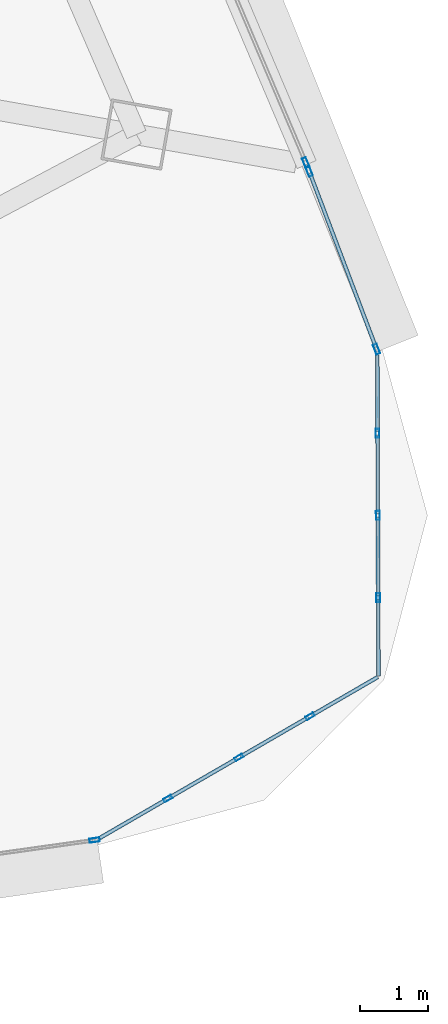
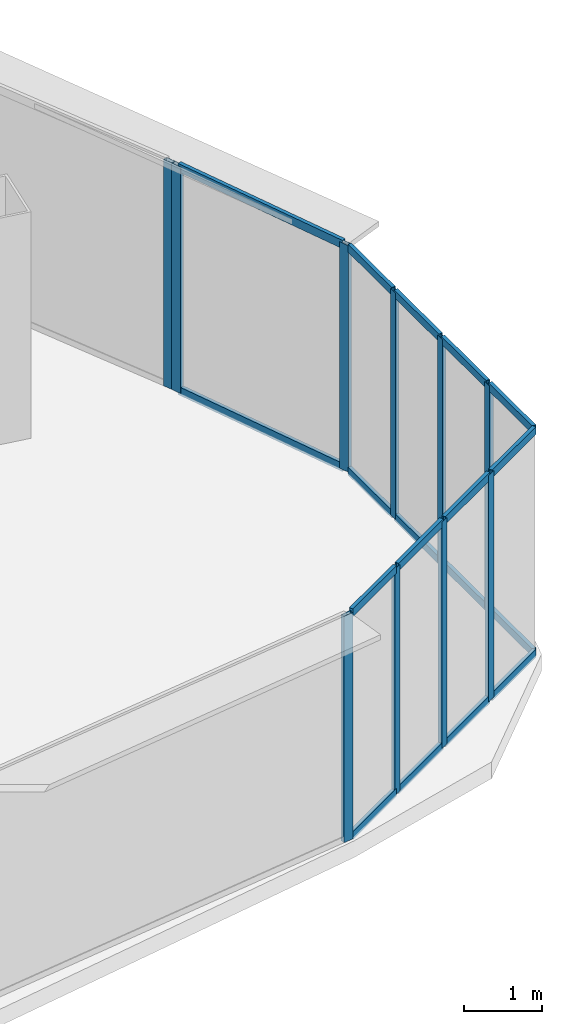
# One storey, part 24 of 40: 28 members, 5 elements without a shape of their own.
"""IFC4 building model written with IfcOpenShell, lengths in metres."""

from ifc_helpers import new_model, si_unit, direction, frame, origin, origin_2d, place, context, subcontext, project, spatial, hollow_rectangle, extrude, source, transform, mapped, material, layer, layer_set, material_profile, profile_set, type_object, element, aggregate, save


model = new_model("IFC4")

# Units and contexts
model_context = context("Model", 3, precision=1e-05, world=origin(), true_north=direction((0.0, 1.0)))
body_context = subcontext(model_context, "Body", "Model", "MODEL_VIEW")
ifc_project = project(units=[si_unit("LENGTHUNIT", "METRE"), si_unit("AREAUNIT", "SQUARE_METRE"), si_unit("VOLUMEUNIT", "CUBIC_METRE"), si_unit("PLANEANGLEUNIT", "RADIAN"), si_unit("MASSUNIT", "GRAM", prefix="KILO"), si_unit("THERMODYNAMICTEMPERATUREUNIT", "KELVIN"), si_unit("POWERUNIT", "WATT")], contexts=[model_context])

# Site, building, storey
site_placement = place(None, origin())
site = spatial("IfcSite", under=ifc_project, at=site_placement, CompositionType="ELEMENT")
building_placement = place(site_placement, origin())
building = spatial("IfcBuilding", under=site, at=building_placement, Name="Yunzhuo Pagoda Commons", CompositionType="ELEMENT")
storey_placement = place(building_placement, frame((0.0, 0.0, 184.760009765625)))
storey = spatial("IfcBuildingStorey", under=building, at=storey_placement, Name="L46", CompositionType="ELEMENT", Elevation=184.760009765625)

# Curtain wall, members
ifc_material = material(Name="Anodized aluminium 6063-T6", Category="aluminium")
ifc_layer_1 = layer(ifc_material, 0.1298828125)
ifc_layer_set_1 = layer_set([ifc_layer_1], Name="Anodized aluminium 6063-T6")
curtain_wall_type_1 = type_object("IfcCurtainWallType", Name="CW-VTX Rounded Corner Curtain Wall", PredefinedType="NOTDEFINED", material=ifc_layer_set_1)
curtain_wall_1_placement = place(storey_placement, origin())
curtain_wall_1 = element("IfcCurtainWall", 1, at=curtain_wall_1_placement, inside=storey, type_object=curtain_wall_type_1, Name="L46 curtain wall CW-L46-VTX2S1", PredefinedType="NOTDEFINED")
ifc_material_profile_1 = material_profile(ifc_material, hollow_rectangle(XDim=0.054931640625, YDim=0.1298828125, WallThickness=0.00341796875, at=origin_2d()), Name="Anodized aluminium 6063-T6")
ifc_profile_set_1 = profile_set([ifc_material_profile_1], Name="Anodized aluminium 6063-T6")
member_type_1 = type_object("IfcMemberType", Name="CW-VTX-M Mullion RHS 130x55x3.5", PredefinedType="MULLION", material=ifc_profile_set_1)
shared_shape_1 = source(origin(), body_context, "Body", "SweptSolid", [
    extrude(hollow_rectangle(XDim=0.054931640625, YDim=0.1298828125, WallThickness=0.00341796875, at=origin_2d()), origin(), (0.0, 0.0, 1.0), 3.5400390625),
])
member_1_placement = place(storey_placement, frame((83.66357421875, 17.789306640625, 0.0), z_axis=(0.0, 0.0, 1.0), x_axis=(-0.501040373263, 0.865423910208, 0.0)))
member_1 = element("IfcMember", 2, at=member_1_placement, type_object=member_type_1, Name="CW mullion 2", PredefinedType="MULLION", context=body_context, shape_type="MappedRepresentation", body=[
    mapped(shared_shape_1, transform((0.0, 0.0, 0.0), scale=1.0)),
])
member_2_placement = place(storey_placement, frame((84.702880859375, 18.390869140625, 0.0), z_axis=(0.0, 0.0, 1.0), x_axis=(-0.501040373263, 0.865423910208, 0.0)))
member_2 = element("IfcMember", 3, at=member_2_placement, type_object=member_type_1, Name="CW mullion 3", PredefinedType="MULLION", context=body_context, shape_type="MappedRepresentation", body=[
    mapped(shared_shape_1, transform((0.0, 0.0, 0.0), scale=1.0)),
])
member_3_placement = place(storey_placement, frame((85.742431640625, 18.99267578125, 0.0), z_axis=(0.0, 0.0, 1.0), x_axis=(-0.501040373263, 0.865423910208, 0.0)))
member_3 = element("IfcMember", 4, at=member_3_placement, type_object=member_type_1, Name="CW mullion 4", PredefinedType="MULLION", context=body_context, shape_type="MappedRepresentation", body=[
    mapped(shared_shape_1, transform((0.0, 0.0, 0.0), scale=1.0)),
])

curtain_wall_2_placement = place(storey_placement, origin())
curtain_wall_2 = element("IfcCurtainWall", 5, at=curtain_wall_2_placement, inside=storey, type_object=curtain_wall_type_1, Name="L46 curtain wall CW-L46-VTX2S2", PredefinedType="NOTDEFINED")
member_4_placement = place(storey_placement, frame((86.737548828125, 20.725830078125, 0.0), z_axis=(0.0, 0.0, 1.0), x_axis=(-0.99999359061, -0.003580326762, 0.0)))
member_4 = element("IfcMember", 6, at=member_4_placement, type_object=member_type_1, Name="CW mullion 2", PredefinedType="MULLION", context=body_context, shape_type="MappedRepresentation", body=[
    mapped(shared_shape_1, transform((0.0, 0.0, 0.0), scale=1.0)),
])
member_5_placement = place(storey_placement, frame((86.733154296875, 21.927001953125, 0.0), z_axis=(0.0, 0.0, 1.0), x_axis=(-0.99999359061, -0.003580326762, 0.0)))
member_5 = element("IfcMember", 7, at=member_5_placement, type_object=member_type_1, Name="CW mullion 3", PredefinedType="MULLION", context=body_context, shape_type="MappedRepresentation", body=[
    mapped(shared_shape_1, transform((0.0, 0.0, 0.0), scale=1.0)),
])
member_6_placement = place(storey_placement, frame((86.72900390625, 23.1279296875, 0.0), z_axis=(0.0, 0.0, 1.0), x_axis=(-0.99999359061, -0.003580326762, 0.0)))
member_6 = element("IfcMember", 8, at=member_6_placement, type_object=member_type_1, Name="CW mullion 4", PredefinedType="MULLION", context=body_context, shape_type="MappedRepresentation", body=[
    mapped(shared_shape_1, transform((0.0, 0.0, 0.0), scale=1.0)),
])

# Curtain wall, member
ifc_layer_2 = layer(ifc_material, 0.14990234375)
ifc_layer_set_2 = layer_set([ifc_layer_2], Name="Anodized aluminium 6063-T6")
curtain_wall_type_2 = type_object("IfcCurtainWallType", Name="CW-MID Mid-Zone Ribbon Curtain Wall", PredefinedType="NOTDEFINED", material=ifc_layer_set_2)
curtain_wall_3_placement = place(storey_placement, origin())
curtain_wall_3 = element("IfcCurtainWall", 9, at=curtain_wall_3_placement, inside=storey, type_object=curtain_wall_type_2, Name="L46 curtain wall CW-L46-F1B5", PredefinedType="NOTDEFINED")
ifc_material_profile_2 = material_profile(ifc_material, hollow_rectangle(XDim=0.06005859375, YDim=0.14990234375, WallThickness=0.00390625, at=origin_2d()), Name="Anodized aluminium 6063-T6")
ifc_profile_set_2 = profile_set([ifc_material_profile_2], Name="Anodized aluminium 6063-T6")
member_type_2 = type_object("IfcMemberType", Name="CW-MID-M Mullion RHS 150x60x4", PredefinedType="MULLION", material=ifc_profile_set_2)
shared_shape_2 = source(origin(), body_context, "Body", "SweptSolid", [
    extrude(hollow_rectangle(XDim=0.06005859375, YDim=0.14990234375, WallThickness=0.00390625, at=origin_2d()), origin(), (0.0, 0.0, 1.0), 3.5400390625),
])
member_7_placement = place(storey_placement, frame((82.594482421875, 17.183349609375, 0.0), z_axis=(0.0, 0.0, 1.0), x_axis=(-0.139233100351, 0.990259634524, 0.0)))
member_7 = element("IfcMember", 10, at=member_7_placement, type_object=member_type_2, Name="CW mullion 2", PredefinedType="MULLION", context=body_context, shape_type="MappedRepresentation", body=[
    mapped(shared_shape_2, transform((0.0, 0.0, 0.0), scale=1.0)),
])
aggregate(curtain_wall_3, [member_7])

curtain_wall_4_placement = place(storey_placement, origin())
curtain_wall_4 = element("IfcCurtainWall", 11, at=curtain_wall_4_placement, inside=storey, type_object=curtain_wall_type_2, Name="L46 curtain wall CW-L46-F2B2", PredefinedType="NOTDEFINED")
member_8_placement = place(storey_placement, frame((85.6806640625, 27.081298828125, 0.0), z_axis=(0.0, 0.0, 1.0), x_axis=(-0.920515325194, -0.390706457693, 0.0)))
member_8 = element("IfcMember", 12, at=member_8_placement, type_object=member_type_2, Name="CW mullion 1", PredefinedType="MULLION", context=body_context, shape_type="MappedRepresentation", body=[
    mapped(shared_shape_2, transform((0.0, 0.0, 0.0), scale=1.0)),
])
aggregate(curtain_wall_4, [member_8])

# Curtain wall, members
curtain_wall_5_placement = place(storey_placement, origin())
curtain_wall_5 = element("IfcCurtainWall", 13, at=curtain_wall_5_placement, inside=storey, type_object=curtain_wall_type_2, Name="L46 curtain wall CW-L46-F2B1", PredefinedType="NOTDEFINED")
member_9_placement = place(storey_placement, frame((86.7138671875, 24.35693359375, 0.0), z_axis=(0.0, 0.0, 1.0), x_axis=(-0.935148483493, -0.354256000401, 0.0)))
member_9 = element("IfcMember", 14, at=member_9_placement, type_object=member_type_2, Name="CW mullion 1", PredefinedType="MULLION", context=body_context, shape_type="MappedRepresentation", body=[
    mapped(shared_shape_2, transform((0.0, 0.0, 0.0), scale=1.0)),
])
member_10_placement = place(storey_placement, frame((85.7294921875, 26.95556640625, 0.0), z_axis=(0.0, 0.0, 1.0), x_axis=(-0.935148483493, -0.354256000401, 0.0)))
member_10 = element("IfcMember", 15, at=member_10_placement, type_object=member_type_2, Name="CW mullion 2", PredefinedType="MULLION", context=body_context, shape_type="MappedRepresentation", body=[
    mapped(shared_shape_2, transform((0.0, 0.0, 0.0), scale=1.0)),
])
ifc_material_profile_3 = material_profile(ifc_material, hollow_rectangle(XDim=0.054931640625, YDim=0.1298828125, WallThickness=0.00341796875, at=origin_2d()), Name="Anodized aluminium 6063-T6")
ifc_profile_set_3 = profile_set([ifc_material_profile_3], Name="Anodized aluminium 6063-T6")
member_type_3 = type_object("IfcMemberType", Name="CW-MID-T Transom RHS 130x55x3.5", PredefinedType="USERDEFINED", material=ifc_profile_set_3)
shared_shape_3 = source(origin(), body_context, "Body", "SweptSolid", [
    extrude(hollow_rectangle(XDim=0.054931640625, YDim=0.1298828125, WallThickness=0.00341796875, at=origin_2d()), origin(), (0.0, 0.0, 1.0), 2.71875),
])
member_11_placement = place(storey_placement, frame((86.703369140625, 24.385009765625, 0.027587890625), z_axis=(-0.354250859445, 0.935150430991, 0.0), x_axis=(-0.935150430991, -0.354250859445, 0.0)))
member_11 = element("IfcMember", 16, at=member_11_placement, type_object=member_type_3, Name="CW transom 1.1", ObjectType="TRANSOM", PredefinedType="USERDEFINED", context=body_context, shape_type="MappedRepresentation", body=[
    mapped(shared_shape_3, transform((0.0, 0.0, 0.0), scale=1.0)),
])
member_12_placement = place(storey_placement, frame((86.703369140625, 24.385009765625, 3.512451171875), z_axis=(-0.354250859445, 0.935150430991, 0.0), x_axis=(-0.935150430991, -0.354250859445, 0.0)))
member_12 = element("IfcMember", 17, at=member_12_placement, type_object=member_type_3, Name="CW transom 1.2", ObjectType="TRANSOM", PredefinedType="USERDEFINED", context=body_context, shape_type="MappedRepresentation", body=[
    mapped(shared_shape_3, transform((0.0, 0.0, 0.0), scale=1.0)),
])
aggregate(curtain_wall_5, [member_9, member_10, member_11, member_12])

# Member
ifc_material_profile_4 = material_profile(ifc_material, hollow_rectangle(XDim=0.054931640625, YDim=0.1201171875, WallThickness=0.00341796875, at=origin_2d()), Name="Anodized aluminium 6063-T6")
ifc_profile_set_4 = profile_set([ifc_material_profile_4], Name="Anodized aluminium 6063-T6")
member_type_4 = type_object("IfcMemberType", Name="CW-VTX-T Transom RHS 120x55x3.5", PredefinedType="USERDEFINED", material=ifc_profile_set_4)
shared_shape_4 = source(origin(), body_context, "Body", "SweptSolid", [
    extrude(hollow_rectangle(XDim=0.054931640625, YDim=0.1201171875, WallThickness=0.00341796875, at=origin_2d()), origin(), (0.0, 0.0, 1.0), 1.118408203125),
])
member_13_placement = place(storey_placement, frame((86.728759765625, 23.155517578125, 0.027587890625), z_axis=(-0.003274376684, 0.999994639214, 0.0), x_axis=(-0.999994639214, -0.003274376684, 0.0)))
member_13 = element("IfcMember", 18, at=member_13_placement, type_object=member_type_4, Name="CW transom 4.1", ObjectType="TRANSOM", PredefinedType="USERDEFINED", context=body_context, shape_type="MappedRepresentation", body=[
    mapped(shared_shape_4, transform((0.0, 0.0, 0.0), scale=1.0)),
])

member_14_placement = place(storey_placement, frame((86.728759765625, 23.155517578125, 3.512451171875), z_axis=(-0.003274376684, 0.999994639214, 0.0), x_axis=(-0.999994639214, -0.003274376684, 0.0)))
member_14 = element("IfcMember", 19, at=member_14_placement, type_object=member_type_4, Name="CW transom 4.2", ObjectType="TRANSOM", PredefinedType="USERDEFINED", context=body_context, shape_type="MappedRepresentation", body=[
    mapped(shared_shape_4, transform((0.0, 0.0, 0.0), scale=1.0)),
])

shared_shape_5 = source(origin(), body_context, "Body", "SweptSolid", [
    extrude(hollow_rectangle(XDim=0.054931640625, YDim=0.1201171875, WallThickness=0.00341796875, at=origin_2d()), origin(), (0.0, 0.0, 1.0), 1.14599609375),
])
member_15_placement = place(storey_placement, frame((83.687255859375, 17.80322265625, 0.027587890625), z_axis=(0.865542942623, 0.500834717722, 0.0), x_axis=(-0.500834717722, 0.865542942623, 0.0)))
member_15 = element("IfcMember", 20, at=member_15_placement, type_object=member_type_4, Name="CW transom 2.1", ObjectType="TRANSOM", PredefinedType="USERDEFINED", context=body_context, shape_type="MappedRepresentation", body=[
    mapped(shared_shape_5, transform((0.0, 0.0, 0.0), scale=1.0)),
])

member_16_placement = place(storey_placement, frame((83.687255859375, 17.80322265625, 3.512451171875), z_axis=(0.865542942623, 0.500834717722, 0.0), x_axis=(-0.500834717722, 0.865542942623, 0.0)))
member_16 = element("IfcMember", 21, at=member_16_placement, type_object=member_type_4, Name="CW transom 2.2", ObjectType="TRANSOM", PredefinedType="USERDEFINED", context=body_context, shape_type="MappedRepresentation", body=[
    mapped(shared_shape_5, transform((0.0, 0.0, 0.0), scale=1.0)),
])

member_17_placement = place(storey_placement, frame((86.7373046875, 20.75341796875, 0.027587890625), z_axis=(-0.003408586931, 0.999994190751, 0.0), x_axis=(-0.999994190751, -0.003408586931, 0.0)))
member_17 = element("IfcMember", 22, at=member_17_placement, type_object=member_type_4, Name="CW transom 2.1", ObjectType="TRANSOM", PredefinedType="USERDEFINED", context=body_context, shape_type="MappedRepresentation", body=[
    mapped(shared_shape_5, transform((0.0, 0.0, 0.0), scale=1.0)),
])

member_18_placement = place(storey_placement, frame((86.7373046875, 20.75341796875, 3.512451171875), z_axis=(-0.003408586931, 0.999994190751, 0.0), x_axis=(-0.999994190751, -0.003408586931, 0.0)))
member_18 = element("IfcMember", 23, at=member_18_placement, type_object=member_type_4, Name="CW transom 2.2", ObjectType="TRANSOM", PredefinedType="USERDEFINED", context=body_context, shape_type="MappedRepresentation", body=[
    mapped(shared_shape_5, transform((0.0, 0.0, 0.0), scale=1.0)),
])

member_19_placement = place(storey_placement, frame((86.733154296875, 21.954345703125, 0.027587890625), z_axis=(-0.003621620902, 0.99999344191, 0.0), x_axis=(-0.99999344191, -0.003621620902, 0.0)))
member_19 = element("IfcMember", 24, at=member_19_placement, type_object=member_type_4, Name="CW transom 3.1", ObjectType="TRANSOM", PredefinedType="USERDEFINED", context=body_context, shape_type="MappedRepresentation", body=[
    mapped(shared_shape_5, transform((0.0, 0.0, 0.0), scale=1.0)),
])

member_20_placement = place(storey_placement, frame((86.733154296875, 21.954345703125, 3.512451171875), z_axis=(-0.003621620902, 0.99999344191, 0.0), x_axis=(-0.99999344191, -0.003621620902, 0.0)))
member_20 = element("IfcMember", 25, at=member_20_placement, type_object=member_type_4, Name="CW transom 3.2", ObjectType="TRANSOM", PredefinedType="USERDEFINED", context=body_context, shape_type="MappedRepresentation", body=[
    mapped(shared_shape_5, transform((0.0, 0.0, 0.0), scale=1.0)),
])

shared_shape_6 = source(origin(), body_context, "Body", "SweptSolid", [
    extrude(hollow_rectangle(XDim=0.054931640625, YDim=0.1201171875, WallThickness=0.00341796875, at=origin_2d()), origin(), (0.0, 0.0, 1.0), 1.11865234375),
])
member_21_placement = place(storey_placement, frame((82.671875, 17.21484375, 0.027587890625), z_axis=(0.865381453688, 0.501113699286, 0.0), x_axis=(-0.501113699286, 0.865381453688, 0.0)))
member_21 = element("IfcMember", 26, at=member_21_placement, type_object=member_type_4, Name="CW transom 1.1", ObjectType="TRANSOM", PredefinedType="USERDEFINED", context=body_context, shape_type="MappedRepresentation", body=[
    mapped(shared_shape_6, transform((0.0, 0.0, 0.0), scale=1.0)),
])

member_22_placement = place(storey_placement, frame((82.671875, 17.21484375, 3.512451171875), z_axis=(0.865381453688, 0.501113699286, 0.0), x_axis=(-0.501113699286, 0.865381453688, 0.0)))
member_22 = element("IfcMember", 27, at=member_22_placement, type_object=member_type_4, Name="CW transom 1.2", ObjectType="TRANSOM", PredefinedType="USERDEFINED", context=body_context, shape_type="MappedRepresentation", body=[
    mapped(shared_shape_6, transform((0.0, 0.0, 0.0), scale=1.0)),
])

member_23_placement = place(storey_placement, frame((85.76611328125, 19.00634765625, 0.027587890625), z_axis=(0.865286801304, 0.501277120453, 0.0), x_axis=(-0.501277120453, 0.865286801304, 0.0)))
member_23 = element("IfcMember", 28, at=member_23_placement, type_object=member_type_4, Name="CW transom 4.1", ObjectType="TRANSOM", PredefinedType="USERDEFINED", context=body_context, shape_type="MappedRepresentation", body=[
    mapped(shared_shape_6, transform((0.0, 0.0, 0.0), scale=1.0)),
])

member_24_placement = place(storey_placement, frame((85.76611328125, 19.00634765625, 3.512451171875), z_axis=(0.865286801304, 0.501277120453, 0.0), x_axis=(-0.501277120453, 0.865286801304, 0.0)))
member_24 = element("IfcMember", 29, at=member_24_placement, type_object=member_type_4, Name="CW transom 4.2", ObjectType="TRANSOM", PredefinedType="USERDEFINED", context=body_context, shape_type="MappedRepresentation", body=[
    mapped(shared_shape_6, transform((0.0, 0.0, 0.0), scale=1.0)),
])

member_25_placement = place(storey_placement, frame((86.74169921875, 19.579833984375, 0.027587890625), z_axis=(-0.003710144696, 0.999993117389, 0.0), x_axis=(-0.999993117389, -0.003710144696, 0.0)))
member_25 = element("IfcMember", 30, at=member_25_placement, type_object=member_type_4, Name="CW transom 1.1", ObjectType="TRANSOM", PredefinedType="USERDEFINED", context=body_context, shape_type="MappedRepresentation", body=[
    mapped(shared_shape_6, transform((0.0, 0.0, 0.0), scale=1.0)),
])

member_26_placement = place(storey_placement, frame((86.74169921875, 19.579833984375, 3.512451171875), z_axis=(-0.003710144696, 0.999993117389, 0.0), x_axis=(-0.999993117389, -0.003710144696, 0.0)))
member_26 = element("IfcMember", 31, at=member_26_placement, type_object=member_type_4, Name="CW transom 1.2", ObjectType="TRANSOM", PredefinedType="USERDEFINED", context=body_context, shape_type="MappedRepresentation", body=[
    mapped(shared_shape_6, transform((0.0, 0.0, 0.0), scale=1.0)),
])

aggregate(curtain_wall_2, [member_4, member_5, member_6, member_25, member_26, member_17, member_18, member_19, member_20, member_13, member_14])

shared_shape_7 = source(origin(), body_context, "Body", "SweptSolid", [
    extrude(hollow_rectangle(XDim=0.054931640625, YDim=0.1201171875, WallThickness=0.00341796875, at=origin_2d()), origin(), (0.0, 0.0, 1.0), 1.145751953125),
])
member_27_placement = place(storey_placement, frame((84.726806640625, 18.40478515625, 0.027587890625), z_axis=(0.865489492245, 0.500927079337, 0.0), x_axis=(-0.500927079337, 0.865489492245, 0.0)))
member_27 = element("IfcMember", 32, at=member_27_placement, type_object=member_type_4, Name="CW transom 3.1", ObjectType="TRANSOM", PredefinedType="USERDEFINED", context=body_context, shape_type="MappedRepresentation", body=[
    mapped(shared_shape_7, transform((0.0, 0.0, 0.0), scale=1.0)),
])

member_28_placement = place(storey_placement, frame((84.726806640625, 18.40478515625, 3.512451171875), z_axis=(0.865489492245, 0.500927079337, 0.0), x_axis=(-0.500927079337, 0.865489492245, 0.0)))
member_28 = element("IfcMember", 33, at=member_28_placement, type_object=member_type_4, Name="CW transom 3.2", ObjectType="TRANSOM", PredefinedType="USERDEFINED", context=body_context, shape_type="MappedRepresentation", body=[
    mapped(shared_shape_7, transform((0.0, 0.0, 0.0), scale=1.0)),
])

aggregate(curtain_wall_1, [member_1, member_2, member_3, member_21, member_22, member_15, member_16, member_27, member_28, member_23, member_24])

save(model, "model.ifc")
